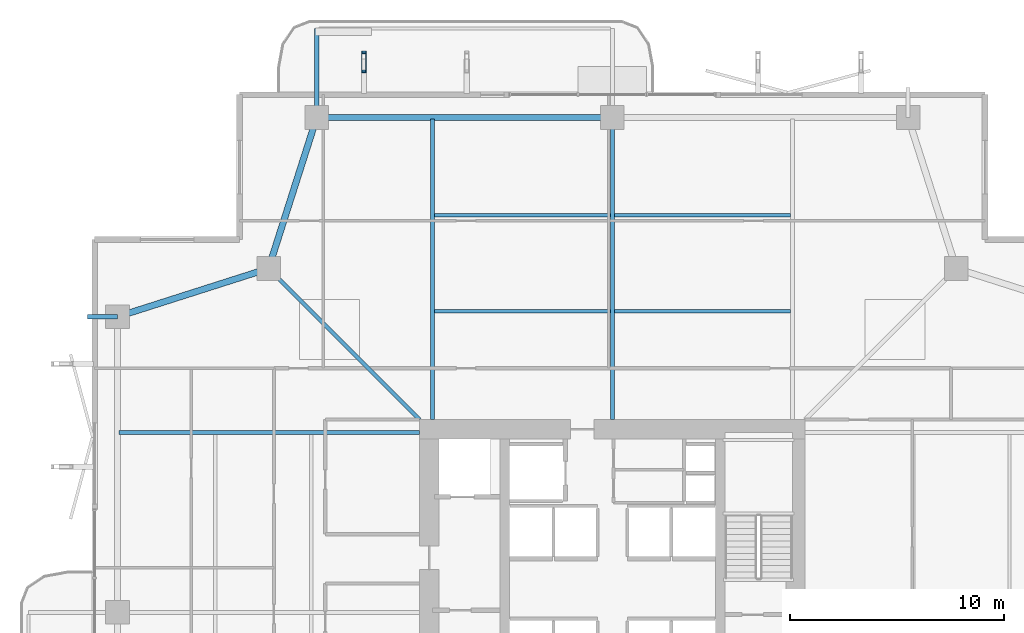
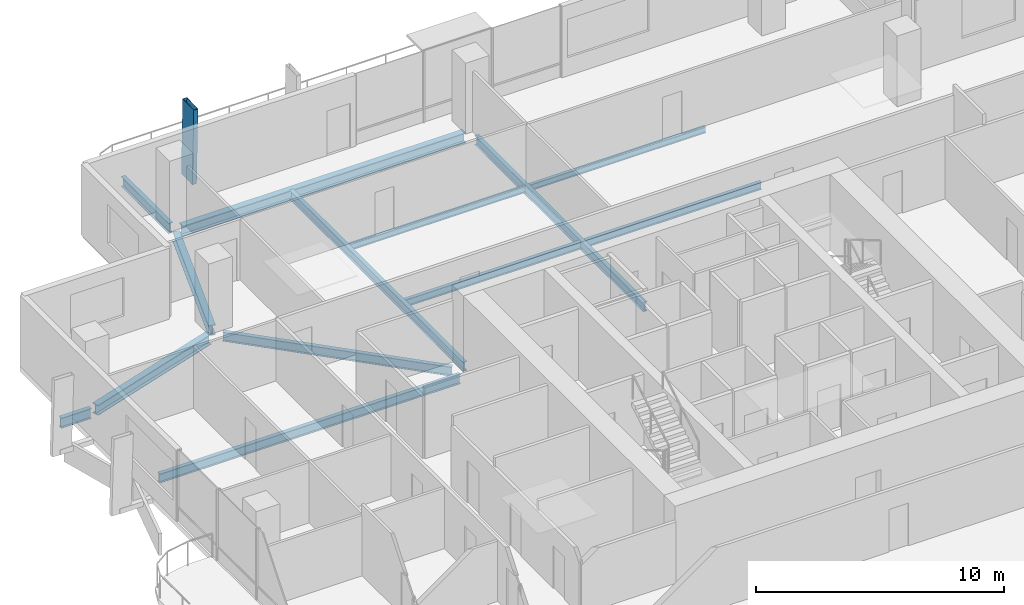
# One storey, part 12 of 25: 13 beams, 1 member.
"""IFC4 building model written with IfcOpenShell, lengths in metres."""

from ifc_helpers import new_model, si_unit, direction, frame, origin, origin_2d, place, context, subcontext, project, spatial, hollow_rectangle, i_section, extrude, material, material_profile, profile_set, type_object, element, save


model = new_model("IFC4")

# Units and contexts
model_context = context("Model", 3, precision=1e-05, world=origin(), true_north=direction((0.0, 1.0)))
body_context = subcontext(model_context, "Body", "Model", "MODEL_VIEW")
ifc_project = project(units=[si_unit("LENGTHUNIT", "METRE"), si_unit("AREAUNIT", "SQUARE_METRE"), si_unit("VOLUMEUNIT", "CUBIC_METRE"), si_unit("PLANEANGLEUNIT", "RADIAN"), si_unit("MASSUNIT", "GRAM", prefix="KILO")], contexts=[model_context])

# Site, building, storey
site_placement = place(None, origin())
site = spatial("IfcSite", under=ifc_project, at=site_placement, CompositionType="ELEMENT")
building_placement = place(site_placement, origin())
building = spatial("IfcBuilding", under=site, at=building_placement, Name="Belovzor Exchange Tower", CompositionType="ELEMENT")
storey_placement = place(building_placement, frame((0.0, 0.0, 153.300048828125)))
storey = spatial("IfcBuildingStorey", under=building, at=storey_placement, Name="L37", CompositionType="ELEMENT", Elevation=153.300048828125)

# Beams
ifc_material_1 = material(Name="Steel S355", Category="steel")
ifc_material_profile_1 = material_profile(ifc_material_1, i_section(OverallWidth=0.199951171875, OverallDepth=0.5, WebThickness=0.01025390625, FlangeThickness=0.01611328125, at=origin_2d()))
ifc_profile_set_1 = profile_set([ifc_material_profile_1], Name="Steel S355")
beam_type_1 = type_object("IfcBeamType", Name="Planted Balcony Cantilever Beam IPE 500", PredefinedType="BEAM", material=ifc_profile_set_1)
beam_1_placement = place(storey_placement, frame((15.0, 52.202880859375, -0.505126953125), z_axis=(0.0, 1.0, 0.0), x_axis=(-1.0, 0.0, 0.0)))
element("IfcBeam", 1, at=beam_1_placement, inside=storey, type_object=beam_type_1, Name="BC-500 Planted Balcony Cantilever Beam IPE 500", PredefinedType="BEAM", context=body_context, shape_type="SweptSolid", body=[
    extrude(i_section(OverallWidth=0.199951171875, OverallDepth=0.5, WebThickness=0.01025390625, FlangeThickness=0.01611328125, at=origin_2d()), origin(), (0.0, 0.0, 1.0), 3.85009765625),
])
beam_2_placement = place(storey_placement, frame((5.699951171875, 42.60009765625, -0.505126953125), z_axis=(-1.0, 0.0, 0.0), x_axis=(0.0, -1.0, 0.0)))
element("IfcBeam", 2, at=beam_2_placement, inside=storey, type_object=beam_type_1, Name="BC-500 Planted Balcony Cantilever Beam IPE 500", PredefinedType="BEAM", context=body_context, shape_type="SweptSolid", body=[
    extrude(i_section(OverallWidth=0.199951171875, OverallDepth=0.5, WebThickness=0.01025390625, FlangeThickness=0.01611328125, at=origin_2d()), origin(), (0.0, 0.0, 1.0), 1.39990234375),
])
ifc_material_2 = material(Name="Steel S355", Category="steel")
ifc_material_profile_2 = material_profile(ifc_material_2, i_section(OverallWidth=0.169921875, OverallDepth=0.360107421875, WebThickness=0.008056640625, FlangeThickness=0.0126953125, at=origin_2d()))
ifc_profile_set_2 = profile_set([ifc_material_profile_2], Name="Steel S355")
beam_type_2 = type_object("IfcBeamType", Name="Secondary Infill Floor Joist IPE 360", PredefinedType="BEAM", material=ifc_profile_set_2)
for number, where, z_axis, x_axis, name in (
    (3, (20.4951171875, 42.84912109375, -0.43505859375), (1.0, 0.0, 0.0), (0.0, 1.0, 0.0), "FJ-360 Secondary Infill Floor Joist IPE 360"),
    (4, (28.89501953125, 42.84912109375, -0.43505859375), (1.0, 0.0, 0.0), (0.0, 1.0, 0.0), "FJ-360 Secondary Infill Floor Joist IPE 360"),
):
    element("IfcBeam", number, at=place(storey_placement, frame(where, z_axis=z_axis, x_axis=x_axis)), inside=storey, type_object=beam_type_2, Name=name, PredefinedType="BEAM", context=body_context, shape_type="SweptSolid", body=[
        extrude(i_section(OverallWidth=0.169921875, OverallDepth=0.360107421875, WebThickness=0.008056640625, FlangeThickness=0.0126953125, at=origin_2d()), origin(), (0.0, 0.0, 1.0), 8.2099609375),
    ])
ifc_material_3 = material(Name="Steel S355", Category="steel")
ifc_material_profile_3 = material_profile(ifc_material_3, i_section(OverallWidth=0.14990234375, OverallDepth=0.300048828125, WebThickness=0.007080078125, FlangeThickness=0.0107421875, at=origin_2d()))
ifc_profile_set_3 = profile_set([ifc_material_profile_3], Name="Steel S355")
beam_type_3 = type_object("IfcBeamType", Name="Secondary Trim Floor Joist IPE 300", PredefinedType="BEAM", material=ifc_profile_set_3)
for number, where, z_axis, x_axis, name in (
    (5, (20.4951171875, 47.3369140625, -0.405029296875), (1.0, 0.0, 0.0), (0.0, 1.0, 0.0), "FJ-300 Secondary Trim Floor Joist IPE 300"),
    (6, (28.89501953125, 47.3369140625, -0.405029296875), (1.0, 0.0, 0.0), (0.0, 1.0, 0.0), "FJ-300 Secondary Trim Floor Joist IPE 300"),
):
    element("IfcBeam", number, at=place(storey_placement, frame(where, z_axis=z_axis, x_axis=x_axis)), inside=storey, type_object=beam_type_3, Name=name, PredefinedType="BEAM", context=body_context, shape_type="SweptSolid", body=[
        extrude(i_section(OverallWidth=0.14990234375, OverallDepth=0.300048828125, WebThickness=0.007080078125, FlangeThickness=0.0107421875, at=origin_2d()), origin(), (0.0, 0.0, 1.0), 8.2099609375),
    ])

# Member
ifc_material_4 = material(Name="Extruded Architectural Terracotta on Steel S355 Carrier", Category="masonry")
ifc_material_profile_4 = material_profile(ifc_material_4, hollow_rectangle(XDim=0.199951171875, YDim=0.89990234375, WallThickness=0.011962890625, at=origin_2d()))
ifc_profile_set_4 = profile_set([ifc_material_profile_4], Name="Extruded Architectural Terracotta on Steel S355 Carrier")
member_type = type_object("IfcMemberType", Name="Sweeping Terracotta Baguette Fin Assembly 1250", PredefinedType="USERDEFINED", material=ifc_profile_set_4)
member_placement = place(storey_placement, frame((17.199951171875, 54.551025390625, -0.255126953125), z_axis=(0.0, -0.028764134908, 0.999586226667), x_axis=(1.0, 0.0, 0.0)))
element("IfcMember", 7, at=member_placement, inside=storey, type_object=member_type, Name="FIN-TC125 Terracotta Facade Fin L37 N1", ObjectType="FIN", PredefinedType="USERDEFINED", context=body_context, shape_type="SweptSolid", body=[
    extrude(hollow_rectangle(XDim=0.199951171875, YDim=0.89990234375, WallThickness=0.011962890625, at=origin_2d()), origin(), (0.0, 0.0, 1.0), 3.75146484375),
])

# Beams
ifc_material_5 = material(Name="Steel S355", Category="steel")
ifc_material_profile_5 = material_profile(ifc_material_5, i_section(OverallWidth=0.18994140625, OverallDepth=0.449951171875, WebThickness=0.009521484375, FlangeThickness=0.0146484375, at=origin_2d()))
ifc_profile_set_5 = profile_set([ifc_material_profile_5], Name="Steel S355")
beam_type_4 = type_object("IfcBeamType", Name="Zone 2-4 Radial Composite Floor Beam IPE 450", PredefinedType="BEAM", material=ifc_profile_set_5)
beam_3_placement = place(storey_placement, frame((20.39990234375, 37.800048828125, -0.47998046875), z_axis=(0.0, 1.0, 0.0), x_axis=(-1.0, 0.0, 0.0)))
element("IfcBeam", 8, at=beam_3_placement, inside=storey, type_object=beam_type_4, Name="FB-450 Zone 2-4 Radial Composite Floor Beam IPE 450", PredefinedType="BEAM", context=body_context, shape_type="SweptSolid", body=[
    extrude(i_section(OverallWidth=0.18994140625, OverallDepth=0.449951171875, WebThickness=0.009521484375, FlangeThickness=0.0146484375, at=origin_2d()), origin(), (0.0, 0.0, 1.0), 14.02490234375),
])
beam_4_placement = place(storey_placement, frame((28.800048828125, 37.800048828125, -0.47998046875), z_axis=(0.0, 1.0, 0.0), x_axis=(-1.0, 0.0, 0.0)))
element("IfcBeam", 9, at=beam_4_placement, inside=storey, type_object=beam_type_4, Name="FB-450 Zone 2-4 Radial Composite Floor Beam IPE 450", PredefinedType="BEAM", context=body_context, shape_type="SweptSolid", body=[
    extrude(i_section(OverallWidth=0.18994140625, OverallDepth=0.449951171875, WebThickness=0.009521484375, FlangeThickness=0.0146484375, at=origin_2d()), origin(), (0.0, 0.0, 1.0), 13.615966796875),
])
beam_5_placement = place(storey_placement, frame((19.800048828125, 37.199951171875, -0.47998046875), z_axis=(-1.0, 0.0, 0.0), x_axis=(0.0, -1.0, 0.0)))
element("IfcBeam", 10, at=beam_5_placement, inside=storey, type_object=beam_type_4, Name="FB-450 Zone 2-4 Radial Composite Floor Beam IPE 450", PredefinedType="BEAM", context=body_context, shape_type="SweptSolid", body=[
    extrude(i_section(OverallWidth=0.18994140625, OverallDepth=0.449951171875, WebThickness=0.009521484375, FlangeThickness=0.0146484375, at=origin_2d()), origin(), (0.0, 0.0, 1.0), 14.025146484375),
])
beam_6_placement = place(storey_placement, frame((19.800048828125, 37.800048828125, -0.47998046875), z_axis=(-0.707119521505, 0.707094040639, 0.0), x_axis=(-0.707094040639, -0.707119521505, 0.0)))
element("IfcBeam", 11, at=beam_6_placement, inside=storey, type_object=beam_type_4, Name="FB-450 Zone 2-4 Radial Composite Floor Beam IPE 450", PredefinedType="BEAM", context=body_context, shape_type="SweptSolid", body=[
    extrude(i_section(OverallWidth=0.18994140625, OverallDepth=0.449951171875, WebThickness=0.009521484375, FlangeThickness=0.0146484375, at=origin_2d()), origin(), (0.0, 0.0, 1.0), 9.581298828125),
])
ifc_material_6 = material(Name="Steel S355", Category="steel")
ifc_material_profile_6 = material_profile(ifc_material_6, i_section(OverallWidth=0.300048828125, OverallDepth=0.5, WebThickness=0.014404296875, FlangeThickness=0.028076171875, at=origin_2d()))
ifc_profile_set_6 = profile_set([ifc_material_profile_6], Name="Steel S355")
beam_type_5 = type_object("IfcBeamType", Name="Zone 3 Waist Primary Girder HEB 500", PredefinedType="BEAM", material=ifc_profile_set_6)
beam_7_placement = place(storey_placement, frame((28.498046875, 51.89990234375, -0.505126953125), z_axis=(-1.0, 0.0, 0.0), x_axis=(0.0, -1.0, 0.0)))
element("IfcBeam", 12, at=beam_7_placement, inside=storey, type_object=beam_type_5, Name="FG-Z3 Zone 3 Waist Primary Girder HEB 500", PredefinedType="BEAM", context=body_context, shape_type="SweptSolid", body=[
    extrude(i_section(OverallWidth=0.300048828125, OverallDepth=0.5, WebThickness=0.014404296875, FlangeThickness=0.028076171875, at=origin_2d()), origin(), (0.0, 0.0, 1.0), 13.195068359375),
])
for number, where, z_axis, x_axis, name in (
    (13, (14.907958984375, 51.612060546875, -0.505126953125), (-0.304001325621, -0.952671608699, 0.0), (0.952671608699, -0.304001325621, 0.0), "FG-Z3 Zone 3 Waist Primary Girder HEB 500"),
    (14, (12.4619140625, 44.758056640625, -0.505126953125), (-0.952657882792, -0.304044336164, 0.0), (0.304044336164, -0.952657882792, 0.0), "FG-Z3 Zone 3 Waist Primary Girder HEB 500"),
):
    element("IfcBeam", number, at=place(storey_placement, frame(where, z_axis=z_axis, x_axis=x_axis)), inside=storey, type_object=beam_type_5, Name=name, PredefinedType="BEAM", context=body_context, shape_type="SweptSolid", body=[
        extrude(i_section(OverallWidth=0.300048828125, OverallDepth=0.5, WebThickness=0.014404296875, FlangeThickness=0.028076171875, at=origin_2d()), origin(), (0.0, 0.0, 1.0), 6.795654296875),
    ])

save(model, "model.ifc")
